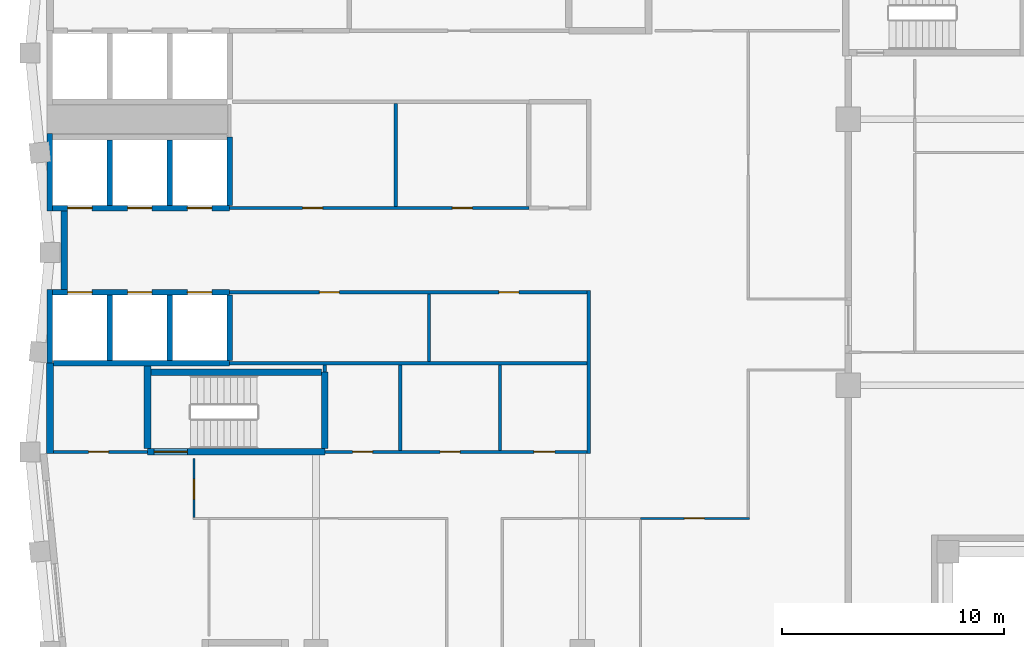
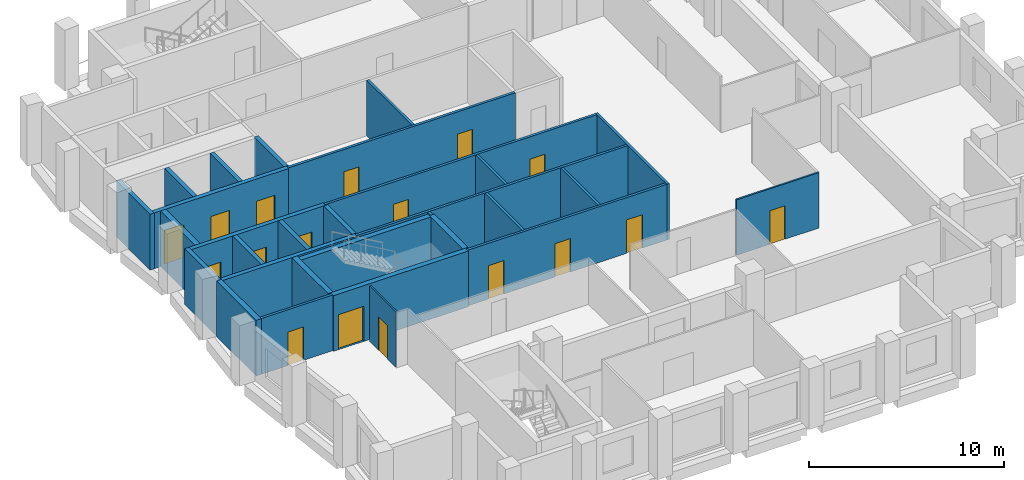
# One storey, part 3 of 7: 30 walls, 17 doors, 17 openings.
"""IFC4 building model written with IfcOpenShell, lengths in metres."""

from ifc_helpers import new_model, si_unit, direction, frame, frame_2d, origin, place, context, subcontext, project, spatial, rectangle, extrude, material, layer, layer_set, type_object, element, fill, save


model = new_model("IFC4")

# Units and contexts
model_context = context("Model", 3, precision=1e-05, world=origin(), true_north=direction((0.0, 1.0)))
body_context = subcontext(model_context, "Body", "Model", "MODEL_VIEW")
ifc_project = project(units=[si_unit("LENGTHUNIT", "METRE"), si_unit("AREAUNIT", "SQUARE_METRE"), si_unit("VOLUMEUNIT", "CUBIC_METRE"), si_unit("PLANEANGLEUNIT", "RADIAN"), si_unit("MASSUNIT", "GRAM", prefix="KILO")], contexts=[model_context])

# Site, building, storey
site_placement = place(None, origin())
site = spatial("IfcSite", under=ifc_project, at=site_placement, CompositionType="ELEMENT")
building_placement = place(site_placement, origin())
building = spatial("IfcBuilding", under=site, at=building_placement, Name="Brondeck Convention Tower", CompositionType="ELEMENT")
storey_placement = place(building_placement, frame((0.0, 0.0, 260.0)))
storey = spatial("IfcBuildingStorey", under=building, at=storey_placement, Name="L64", CompositionType="ELEMENT", Elevation=260.0)

# Wall, openings, doors
ifc_material_1 = material(Name="Concrete C50/60", Category="concrete")
ifc_layer_1 = layer(ifc_material_1, 0.14990234375)
ifc_layer_set_1 = layer_set([ifc_layer_1], Name="Core beam-seat wall 150 Concrete C50/60")
wall_type_1 = type_object("IfcWallType", Name="Core beam-seat wall 150 Concrete C50/60", PredefinedType="SHEAR", material=ifc_layer_set_1)
wall_1_placement = place(storey_placement, frame((12.39990234375, 36.0, 0.0), z_axis=(0.0, 0.0, 1.0), x_axis=(1.0, 0.0, 0.0)))
wall_1 = element("IfcWall", 1, at=wall_1_placement, inside=storey, type_object=wall_type_1, Name="L64 core wall", PredefinedType="SHEAR", context=body_context, shape_type="SweptSolid", body=[
    extrude(rectangle(XDim=11.8251953125, YDim=0.14990234375, at=frame_2d((5.91259765625, 0.0))), origin(), (0.0, 0.0, 1.0), 3.5),
])
opening_1_placement = place(wall_1_placement, frame((1.25, 0.0, 0.0)))
opening_1 = element("IfcOpeningElement", 2, at=opening_1_placement, cuts=wall_1, Name="Opening C36-03", PredefinedType="OPENING", context=body_context, shape_type="SweptSolid", body=[
    extrude(rectangle(XDim=0.89990234375, YDim=2.10009765625, at=frame_2d((0.449951171875, 1.050048828125))), frame((0.0, 0.0849609375, 0.0), z_axis=(0.0, -1.0, 0.0), x_axis=(1.0, 0.0, 0.0)), (0.0, 0.0, 1.0), 0.169921875),
])
opening_2_placement = place(wall_1_placement, frame((5.199951171875, 0.0, 0.0)))
opening_2 = element("IfcOpeningElement", 3, at=opening_2_placement, cuts=wall_1, Name="Opening C36-04", PredefinedType="OPENING", context=body_context, shape_type="SweptSolid", body=[
    extrude(rectangle(XDim=0.89990234375, YDim=2.10009765625, at=frame_2d((0.449951171875, 1.050048828125))), frame((0.0, 0.0849609375, 0.0), z_axis=(0.0, -1.0, 0.0), x_axis=(1.0, 0.0, 0.0)), (0.0, 0.0, 1.0), 0.169921875),
])
opening_3_placement = place(wall_1_placement, frame((9.425048828125, 0.0, 0.0)))
opening_3 = element("IfcOpeningElement", 4, at=opening_3_placement, cuts=wall_1, Name="Opening C36-05", PredefinedType="OPENING", context=body_context, shape_type="SweptSolid", body=[
    extrude(rectangle(XDim=0.949951171875, YDim=2.10009765625, at=frame_2d((0.47509765625, 1.050048828125))), frame((0.0, 0.0849609375, 0.0), z_axis=(0.0, -1.0, 0.0), x_axis=(1.0, 0.0, 0.0)), (0.0, 0.0, 1.0), 0.169921875),
])
ifc_material_2 = material(Name="Steel fire door", Category="steel")
door_type_1 = type_object("IfcDoorType", Name="Room door 900x2100 EI 60", OperationType="NOTDEFINED", PredefinedType="DOOR", material=ifc_material_2)
door_1_placement = place(opening_1_placement, origin())
door_1 = element("IfcDoor", 5, at=door_1_placement, inside=storey, type_object=door_type_1, Name="L64 Room door FR-1", OperationType="SINGLE_SWING_RIGHT", OverallHeight=2.10009765625, OverallWidth=0.89990234375, PredefinedType="DOOR", context=body_context, shape_type="SweptSolid", body=[
    extrude(rectangle(XDim=0.89990234375, YDim=2.10009765625, at=frame_2d((0.449951171875, 1.050048828125))), frame((0.0, 0.02490234375, 0.0), z_axis=(0.0, -1.0, 0.0), x_axis=(1.0, 0.0, 0.0)), (0.0, 0.0, 1.0), 0.050048828125),
])
fill(opening_1, door_1)
door_2_placement = place(opening_2_placement, origin())
door_2 = element("IfcDoor", 6, at=door_2_placement, inside=storey, type_object=door_type_1, Name="L64 Room door FR-2", OperationType="SINGLE_SWING_LEFT", OverallHeight=2.10009765625, OverallWidth=0.89990234375, PredefinedType="DOOR", context=body_context, shape_type="SweptSolid", body=[
    extrude(rectangle(XDim=0.89990234375, YDim=2.10009765625, at=frame_2d((0.449951171875, 1.050048828125))), frame((0.0, 0.02490234375, 0.0), z_axis=(0.0, -1.0, 0.0), x_axis=(1.0, 0.0, 0.0)), (0.0, 0.0, 1.0), 0.050048828125),
])
fill(opening_2, door_2)
door_type_2 = type_object("IfcDoorType", Name="Room door 950x2100 EI 60", OperationType="NOTDEFINED", PredefinedType="DOOR", material=ifc_material_2)
door_3_placement = place(opening_3_placement, origin())
door_3 = element("IfcDoor", 7, at=door_3_placement, inside=storey, type_object=door_type_2, Name="L64 Room door FR-3", OperationType="SINGLE_SWING_RIGHT", OverallHeight=2.10009765625, OverallWidth=0.949951171875, PredefinedType="DOOR", context=body_context, shape_type="SweptSolid", body=[
    extrude(rectangle(XDim=0.949951171875, YDim=2.10009765625, at=frame_2d((0.47509765625, 1.050048828125))), frame((0.0, 0.02490234375, 0.0), z_axis=(0.0, -1.0, 0.0), x_axis=(1.0, 0.0, 0.0)), (0.0, 0.0, 1.0), 0.050048828125),
])
fill(opening_3, door_3)

# Walls
ifc_layer_2 = layer(ifc_material_1, 0.300048828125)
ifc_layer_set_2 = layer_set([ifc_layer_2], Name="Core outer wall 300 Concrete C50/60")
wall_type_2 = type_object("IfcWallType", Name="Core outer wall 300 Concrete C50/60", PredefinedType="SHEAR", material=ifc_layer_set_2)
wall_2_placement = place(storey_placement, frame((0.0, 35.925048828125, 0.0), z_axis=(0.0, 0.0, 1.0), x_axis=(0.0, 1.0, 0.0)))
element("IfcWall", 8, at=wall_2_placement, inside=storey, type_object=wall_type_2, Name="L64 core wall", PredefinedType="SHEAR", context=body_context, shape_type="SweptSolid", body=[
    extrude(rectangle(XDim=4.074951171875, YDim=0.300048828125, at=frame_2d((2.03759765625, 0.0))), origin(), (0.0, 0.0, 1.0), 3.5),
])
wall_3_placement = place(storey_placement, frame((0.64990234375, 43.324951171875, 0.0), z_axis=(0.0, 0.0, 1.0), x_axis=(0.0, 1.0, 0.0)))
element("IfcWall", 9, at=wall_3_placement, inside=storey, type_object=wall_type_2, Name="L64 core wall", PredefinedType="SHEAR", context=body_context, shape_type="SweptSolid", body=[
    extrude(rectangle(XDim=3.550048828125, YDim=0.300048828125, at=frame_2d((1.77490234375, 0.0))), origin(), (0.0, 0.0, 1.0), 3.5),
])

# Wall, opening, door
ifc_material_3 = material(Name="Fire-rated gypsum board partition")
ifc_layer_3 = layer(ifc_material_3, 0.14990234375)
ifc_layer_set_3 = layer_set([ifc_layer_3], Name="Core partition 150 EI 60")
wall_type_3 = type_object("IfcWallType", Name="Core partition 150 EI 60", PredefinedType="PARTITIONING", material=ifc_layer_set_3)
wall_4_placement = place(storey_placement, frame((0.14990234375, 36.0, 0.0), z_axis=(0.0, 0.0, 1.0), x_axis=(1.0, 0.0, 0.0)))
wall_4 = element("IfcWall", 10, at=wall_4_placement, inside=storey, type_object=wall_type_3, Name="L64 core wall", PredefinedType="PARTITIONING", context=body_context, shape_type="SweptSolid", body=[
    extrude(rectangle(XDim=4.25, YDim=0.14990234375, at=frame_2d((2.125, 0.0))), origin(), (0.0, 0.0, 1.0), 3.5),
])
opening_4_placement = place(wall_4_placement, frame((1.60009765625, 0.0, 0.0)))
opening_4 = element("IfcOpeningElement", 11, at=opening_4_placement, cuts=wall_4, Name="Opening C36-06", PredefinedType="OPENING", context=body_context, shape_type="SweptSolid", body=[
    extrude(rectangle(XDim=0.89990234375, YDim=2.10009765625, at=frame_2d((0.449951171875, 1.050048828125))), frame((0.0, 0.0849609375, 0.0), z_axis=(0.0, -1.0, 0.0), x_axis=(1.0, 0.0, 0.0)), (0.0, 0.0, 1.0), 0.169921875),
])
door_4_placement = place(opening_4_placement, origin())
door_4 = element("IfcDoor", 12, at=door_4_placement, inside=storey, type_object=door_type_1, Name="L64 Room door FRW-1", OperationType="SINGLE_SWING_LEFT", OverallHeight=2.10009765625, OverallWidth=0.89990234375, PredefinedType="DOOR", context=body_context, shape_type="SweptSolid", body=[
    extrude(rectangle(XDim=0.89990234375, YDim=2.10009765625, at=frame_2d((0.449951171875, 1.050048828125))), frame((0.0, 0.02490234375, 0.0), z_axis=(0.0, -1.0, 0.0), x_axis=(1.0, 0.0, 0.0)), (0.0, 0.0, 1.0), 0.050048828125),
])
fill(opening_4, door_4)

# Wall
wall_5_placement = place(storey_placement, frame((8.10009765625, 40.0, 0.0), z_axis=(0.0, 0.0, 1.0), x_axis=(1.0, 0.0, 0.0)))
element("IfcWall", 13, at=wall_5_placement, inside=storey, type_object=wall_type_3, Name="L64 core wall", PredefinedType="PARTITIONING", context=body_context, shape_type="SweptSolid", body=[
    extrude(rectangle(XDim=16.125, YDim=0.14990234375, at=frame_2d((8.0625, 0.0))), origin(), (0.0, 0.0, 1.0), 3.5),
])

# Wall, openings, doors
wall_6_placement = place(storey_placement, frame((8.10009765625, 43.199951171875, 0.0), z_axis=(0.0, 0.0, 1.0), x_axis=(1.0, 0.0, 0.0)))
wall_6 = element("IfcWall", 14, at=wall_6_placement, inside=storey, type_object=wall_type_3, Name="L64 core wall", PredefinedType="PARTITIONING", context=body_context, shape_type="SweptSolid", body=[
    extrude(rectangle(XDim=16.125, YDim=0.14990234375, at=frame_2d((8.0625, 0.0))), origin(), (0.0, 0.0, 1.0), 3.5),
])
opening_5_placement = place(wall_6_placement, frame((4.050048828125, 0.0, 0.0)))
opening_5 = element("IfcOpeningElement", 15, at=opening_5_placement, cuts=wall_6, Name="Opening C36-09", PredefinedType="OPENING", context=body_context, shape_type="SweptSolid", body=[
    extrude(rectangle(XDim=0.89990234375, YDim=2.10009765625, at=frame_2d((0.449951171875, 1.050048828125))), frame((0.0, 0.0849609375, 0.0), z_axis=(0.0, -1.0, 0.0), x_axis=(1.0, 0.0, 0.0)), (0.0, 0.0, 1.0), 0.169921875),
])
opening_6_placement = place(wall_6_placement, frame((12.14990234375, 0.0, 0.0)))
opening_6 = element("IfcOpeningElement", 16, at=opening_6_placement, cuts=wall_6, Name="Opening C36-10", PredefinedType="OPENING", context=body_context, shape_type="SweptSolid", body=[
    extrude(rectangle(XDim=0.89990234375, YDim=2.10009765625, at=frame_2d((0.449951171875, 1.050048828125))), frame((0.0, 0.0849609375, 0.0), z_axis=(0.0, -1.0, 0.0), x_axis=(1.0, 0.0, 0.0)), (0.0, 0.0, 1.0), 0.169921875),
])
door_5_placement = place(opening_5_placement, origin())
door_5 = element("IfcDoor", 17, at=door_5_placement, inside=storey, type_object=door_type_1, Name="L64 Room door FZ-S-8.1-1", OperationType="SINGLE_SWING_RIGHT", OverallHeight=2.10009765625, OverallWidth=0.89990234375, PredefinedType="DOOR", context=body_context, shape_type="SweptSolid", body=[
    extrude(rectangle(XDim=0.89990234375, YDim=2.10009765625, at=frame_2d((0.449951171875, 1.050048828125))), frame((0.0, 0.02490234375, 0.0), z_axis=(0.0, -1.0, 0.0), x_axis=(1.0, 0.0, 0.0)), (0.0, 0.0, 1.0), 0.050048828125),
])
fill(opening_5, door_5)
door_6_placement = place(opening_6_placement, origin())
door_6 = element("IfcDoor", 18, at=door_6_placement, inside=storey, type_object=door_type_1, Name="L64 Room door FZ-S-8.1-2", OperationType="SINGLE_SWING_LEFT", OverallHeight=2.10009765625, OverallWidth=0.89990234375, PredefinedType="DOOR", context=body_context, shape_type="SweptSolid", body=[
    extrude(rectangle(XDim=0.89990234375, YDim=2.10009765625, at=frame_2d((0.449951171875, 1.050048828125))), frame((0.0, 0.02490234375, 0.0), z_axis=(0.0, -1.0, 0.0), x_axis=(1.0, 0.0, 0.0)), (0.0, 0.0, 1.0), 0.050048828125),
])
fill(opening_6, door_6)

wall_7_placement = place(storey_placement, frame((8.10009765625, 47.0, 0.0), z_axis=(0.0, 0.0, 1.0), x_axis=(1.0, 0.0, 0.0)))
wall_7 = element("IfcWall", 19, at=wall_7_placement, inside=storey, type_object=wall_type_3, Name="L64 core wall", PredefinedType="PARTITIONING", context=body_context, shape_type="SweptSolid", body=[
    extrude(rectangle(XDim=13.5, YDim=0.14990234375, at=frame_2d((6.75, 0.0))), origin(), (0.0, 0.0, 1.0), 3.5),
])
opening_7_placement = place(wall_7_placement, frame((3.300048828125, 0.0, 0.0)))
opening_7 = element("IfcOpeningElement", 20, at=opening_7_placement, cuts=wall_7, Name="Opening C36-07", PredefinedType="OPENING", context=body_context, shape_type="SweptSolid", body=[
    extrude(rectangle(XDim=0.89990234375, YDim=2.10009765625, at=frame_2d((0.449951171875, 1.050048828125))), frame((0.0, 0.0849609375, 0.0), z_axis=(0.0, -1.0, 0.0), x_axis=(1.0, 0.0, 0.0)), (0.0, 0.0, 1.0), 0.169921875),
])
opening_8_placement = place(wall_7_placement, frame((10.050048828125, 0.0, 0.0)))
opening_8 = element("IfcOpeningElement", 21, at=opening_8_placement, cuts=wall_7, Name="Opening C36-08", PredefinedType="OPENING", context=body_context, shape_type="SweptSolid", body=[
    extrude(rectangle(XDim=0.89990234375, YDim=2.10009765625, at=frame_2d((0.449951171875, 1.050048828125))), frame((0.0, 0.0849609375, 0.0), z_axis=(0.0, -1.0, 0.0), x_axis=(1.0, 0.0, 0.0)), (0.0, 0.0, 1.0), 0.169921875),
])
door_7_placement = place(opening_7_placement, origin())
door_7 = element("IfcDoor", 22, at=door_7_placement, inside=storey, type_object=door_type_1, Name="L64 Room door FZ-N-8.1-1", OperationType="SINGLE_SWING_LEFT", OverallHeight=2.10009765625, OverallWidth=0.89990234375, PredefinedType="DOOR", context=body_context, shape_type="SweptSolid", body=[
    extrude(rectangle(XDim=0.89990234375, YDim=2.10009765625, at=frame_2d((0.449951171875, 1.050048828125))), frame((0.0, 0.02490234375, 0.0), z_axis=(0.0, -1.0, 0.0), x_axis=(1.0, 0.0, 0.0)), (0.0, 0.0, 1.0), 0.050048828125),
])
fill(opening_7, door_7)
door_8_placement = place(opening_8_placement, origin())
door_8 = element("IfcDoor", 23, at=door_8_placement, inside=storey, type_object=door_type_1, Name="L64 Room door FZ-N-8.1-2", OperationType="SINGLE_SWING_RIGHT", OverallHeight=2.10009765625, OverallWidth=0.89990234375, PredefinedType="DOOR", context=body_context, shape_type="SweptSolid", body=[
    extrude(rectangle(XDim=0.89990234375, YDim=2.10009765625, at=frame_2d((0.449951171875, 1.050048828125))), frame((0.0, 0.02490234375, 0.0), z_axis=(0.0, -1.0, 0.0), x_axis=(1.0, 0.0, 0.0)), (0.0, 0.0, 1.0), 0.050048828125),
])
fill(opening_8, door_8)

# Walls
wall_8_placement = place(storey_placement, frame((12.39990234375, 39.60009765625, 0.0), z_axis=(0.0, 0.0, 1.0), x_axis=(0.0, 1.0, 0.0)))
element("IfcWall", 24, at=wall_8_placement, inside=storey, type_object=wall_type_3, Name="L64 core wall", PredefinedType="PARTITIONING", context=body_context, shape_type="SweptSolid", body=[
    extrude(rectangle(XDim=0.324951171875, YDim=0.14990234375, at=frame_2d((0.16259765625, 0.0))), origin(), (0.0, 0.0, 1.0), 3.5),
])
wall_9_placement = place(storey_placement, frame((15.60009765625, 47.074951171875, 0.0), z_axis=(0.0, 0.0, 1.0), x_axis=(0.0, 1.0, 0.0)))
element("IfcWall", 25, at=wall_9_placement, inside=storey, type_object=wall_type_3, Name="L64 core wall", PredefinedType="PARTITIONING", context=body_context, shape_type="SweptSolid", body=[
    extrude(rectangle(XDim=4.650146484375, YDim=0.14990234375, at=frame_2d((2.3251953125, 0.0))), origin(), (0.0, 0.0, 1.0), 3.5),
])
wall_10_placement = place(storey_placement, frame((15.800048828125, 36.074951171875, 0.0), z_axis=(0.0, 0.0, 1.0), x_axis=(0.0, 1.0, 0.0)))
element("IfcWall", 26, at=wall_10_placement, inside=storey, type_object=wall_type_3, Name="L64 core wall", PredefinedType="PARTITIONING", context=body_context, shape_type="SweptSolid", body=[
    extrude(rectangle(XDim=3.85009765625, YDim=0.14990234375, at=frame_2d((1.925048828125, 0.0))), origin(), (0.0, 0.0, 1.0), 3.5),
])
wall_11_placement = place(storey_placement, frame((17.10009765625, 40.074951171875, 0.0), z_axis=(0.0, 0.0, 1.0), x_axis=(0.0, 1.0, 0.0)))
element("IfcWall", 27, at=wall_11_placement, inside=storey, type_object=wall_type_3, Name="L64 core wall", PredefinedType="PARTITIONING", context=body_context, shape_type="SweptSolid", body=[
    extrude(rectangle(XDim=3.050048828125, YDim=0.14990234375, at=frame_2d((1.52490234375, 0.0))), origin(), (0.0, 0.0, 1.0), 3.5),
])
wall_12_placement = place(storey_placement, frame((20.300048828125, 36.074951171875, 0.0), z_axis=(0.0, 0.0, 1.0), x_axis=(0.0, 1.0, 0.0)))
element("IfcWall", 28, at=wall_12_placement, inside=storey, type_object=wall_type_3, Name="L64 core wall", PredefinedType="PARTITIONING", context=body_context, shape_type="SweptSolid", body=[
    extrude(rectangle(XDim=3.85009765625, YDim=0.14990234375, at=frame_2d((1.925048828125, 0.0))), origin(), (0.0, 0.0, 1.0), 3.5),
])
wall_13_placement = place(storey_placement, frame((24.300048828125, 35.925048828125, 0.0), z_axis=(0.0, 0.0, 1.0), x_axis=(0.0, 1.0, 0.0)))
element("IfcWall", 29, at=wall_13_placement, inside=storey, type_object=wall_type_3, Name="L64 core wall", PredefinedType="PARTITIONING", context=body_context, shape_type="SweptSolid", body=[
    extrude(rectangle(XDim=7.349853515625, YDim=0.14990234375, at=frame_2d((3.6748046875, 0.0))), origin(), (0.0, 0.0, 1.0), 3.5),
])
ifc_layer_4 = layer(ifc_material_1, 0.25)
ifc_layer_set_4 = layer_set([ifc_layer_4], Name="Lift shaft wall 250 Concrete C50/60")
wall_type_4 = type_object("IfcWallType", Name="Lift shaft wall 250 Concrete C50/60", PredefinedType="SHEAR", material=ifc_layer_set_4)
wall_14_placement = place(storey_placement, frame((0.14990234375, 40.0, 0.0), z_axis=(0.0, 0.0, 1.0), x_axis=(1.0, 0.0, 0.0)))
element("IfcWall", 30, at=wall_14_placement, inside=storey, type_object=wall_type_4, Name="L64 core wall", PredefinedType="SHEAR", context=body_context, shape_type="SweptSolid", body=[
    extrude(rectangle(XDim=7.9501953125, YDim=0.25, at=frame_2d((3.97509765625, 0.0))), origin(), (0.0, 0.0, 1.0), 3.5),
])

# Wall, openings, doors
wall_15_placement = place(storey_placement, frame((0.125, 43.199951171875, 0.0), z_axis=(0.0, 0.0, 1.0), x_axis=(1.0, 0.0, 0.0)))
wall_15 = element("IfcWall", 31, at=wall_15_placement, inside=storey, type_object=wall_type_4, Name="L64 core wall", PredefinedType="SHEAR", context=body_context, shape_type="SweptSolid", body=[
    extrude(rectangle(XDim=7.97509765625, YDim=0.25, at=frame_2d((3.987548828125, 0.0))), origin(), (0.0, 0.0, 1.0), 3.5),
])
opening_9_placement = place(wall_15_placement, frame((0.675048828125, 0.0, 0.0)))
opening_9 = element("IfcOpeningElement", 32, at=opening_9_placement, cuts=wall_15, Name="Opening C36-20", PredefinedType="OPENING", context=body_context, shape_type="SweptSolid", body=[
    extrude(rectangle(XDim=1.10009765625, YDim=2.10009765625, at=frame_2d((0.550048828125, 1.050048828125))), frame((0.0, 0.135009765625, 0.0), z_axis=(0.0, -1.0, 0.0), x_axis=(1.0, 0.0, 0.0)), (0.0, 0.0, 1.0), 0.27001953125),
])
opening_10_placement = place(wall_15_placement, frame((3.375, 0.0, 0.0)))
opening_10 = element("IfcOpeningElement", 33, at=opening_10_placement, cuts=wall_15, Name="Opening C36-21", PredefinedType="OPENING", context=body_context, shape_type="SweptSolid", body=[
    extrude(rectangle(XDim=1.10009765625, YDim=2.10009765625, at=frame_2d((0.550048828125, 1.050048828125))), frame((0.0, 0.135009765625, 0.0), z_axis=(0.0, -1.0, 0.0), x_axis=(1.0, 0.0, 0.0)), (0.0, 0.0, 1.0), 0.27001953125),
])
opening_11_placement = place(wall_15_placement, frame((6.074951171875, 0.0, 0.0)))
opening_11 = element("IfcOpeningElement", 34, at=opening_11_placement, cuts=wall_15, Name="Opening C36-22", PredefinedType="OPENING", context=body_context, shape_type="SweptSolid", body=[
    extrude(rectangle(XDim=1.10009765625, YDim=2.10009765625, at=frame_2d((0.550048828125, 1.050048828125))), frame((0.0, 0.135009765625, 0.0), z_axis=(0.0, -1.0, 0.0), x_axis=(1.0, 0.0, 0.0)), (0.0, 0.0, 1.0), 0.27001953125),
])
ifc_material_4 = material(Name="Stainless steel lift door", Category="steel")
door_type_3 = type_object("IfcDoorType", Name="Lift landing door 1100x2100 EI 180", OperationType="DOUBLE_DOOR_SLIDING", PredefinedType="DOOR", material=ifc_material_4)
door_9_placement = place(opening_9_placement, origin())
door_9 = element("IfcDoor", 35, at=door_9_placement, inside=storey, type_object=door_type_3, Name="L64 Lift landing door HR1", OperationType="DOUBLE_DOOR_SLIDING", OverallHeight=2.10009765625, OverallWidth=1.10009765625, PredefinedType="DOOR", context=body_context, shape_type="SweptSolid", body=[
    extrude(rectangle(XDim=1.10009765625, YDim=2.10009765625, at=frame_2d((0.550048828125, 1.050048828125))), frame((0.0, 0.02490234375, 0.0), z_axis=(0.0, -1.0, 0.0), x_axis=(1.0, 0.0, 0.0)), (0.0, 0.0, 1.0), 0.050048828125),
])
fill(opening_9, door_9)
door_10_placement = place(opening_10_placement, origin())
door_10 = element("IfcDoor", 36, at=door_10_placement, inside=storey, type_object=door_type_3, Name="L64 Lift landing door HR2", OperationType="DOUBLE_DOOR_SLIDING", OverallHeight=2.10009765625, OverallWidth=1.10009765625, PredefinedType="DOOR", context=body_context, shape_type="SweptSolid", body=[
    extrude(rectangle(XDim=1.10009765625, YDim=2.10009765625, at=frame_2d((0.550048828125, 1.050048828125))), frame((0.0, 0.02490234375, 0.0), z_axis=(0.0, -1.0, 0.0), x_axis=(1.0, 0.0, 0.0)), (0.0, 0.0, 1.0), 0.050048828125),
])
fill(opening_10, door_10)
door_11_placement = place(opening_11_placement, origin())
door_11 = element("IfcDoor", 37, at=door_11_placement, inside=storey, type_object=door_type_3, Name="L64 Lift landing door HR3", OperationType="DOUBLE_DOOR_SLIDING", OverallHeight=2.10009765625, OverallWidth=1.10009765625, PredefinedType="DOOR", context=body_context, shape_type="SweptSolid", body=[
    extrude(rectangle(XDim=1.10009765625, YDim=2.10009765625, at=frame_2d((0.550048828125, 1.050048828125))), frame((0.0, 0.02490234375, 0.0), z_axis=(0.0, -1.0, 0.0), x_axis=(1.0, 0.0, 0.0)), (0.0, 0.0, 1.0), 0.050048828125),
])
fill(opening_11, door_11)

wall_16_placement = place(storey_placement, frame((0.125, 47.0, 0.0), z_axis=(0.0, 0.0, 1.0), x_axis=(1.0, 0.0, 0.0)))
wall_16 = element("IfcWall", 38, at=wall_16_placement, inside=storey, type_object=wall_type_4, Name="L64 core wall", PredefinedType="SHEAR", context=body_context, shape_type="SweptSolid", body=[
    extrude(rectangle(XDim=7.97509765625, YDim=0.25, at=frame_2d((3.987548828125, 0.0))), origin(), (0.0, 0.0, 1.0), 3.5),
])
opening_12_placement = place(wall_16_placement, frame((0.675048828125, 0.0, 0.0)))
opening_12 = element("IfcOpeningElement", 39, at=opening_12_placement, cuts=wall_16, Name="Opening C36-23", PredefinedType="OPENING", context=body_context, shape_type="SweptSolid", body=[
    extrude(rectangle(XDim=1.10009765625, YDim=2.10009765625, at=frame_2d((0.550048828125, 1.050048828125))), frame((0.0, 0.135009765625, 0.0), z_axis=(0.0, -1.0, 0.0), x_axis=(1.0, 0.0, 0.0)), (0.0, 0.0, 1.0), 0.27001953125),
])
opening_13_placement = place(wall_16_placement, frame((3.375, 0.0, 0.0)))
opening_13 = element("IfcOpeningElement", 40, at=opening_13_placement, cuts=wall_16, Name="Opening C36-24", PredefinedType="OPENING", context=body_context, shape_type="SweptSolid", body=[
    extrude(rectangle(XDim=1.10009765625, YDim=2.10009765625, at=frame_2d((0.550048828125, 1.050048828125))), frame((0.0, 0.135009765625, 0.0), z_axis=(0.0, -1.0, 0.0), x_axis=(1.0, 0.0, 0.0)), (0.0, 0.0, 1.0), 0.27001953125),
])
opening_14_placement = place(wall_16_placement, frame((6.074951171875, 0.0, 0.0)))
opening_14 = element("IfcOpeningElement", 41, at=opening_14_placement, cuts=wall_16, Name="Opening C36-25", PredefinedType="OPENING", context=body_context, shape_type="SweptSolid", body=[
    extrude(rectangle(XDim=1.10009765625, YDim=2.10009765625, at=frame_2d((0.550048828125, 1.050048828125))), frame((0.0, 0.135009765625, 0.0), z_axis=(0.0, -1.0, 0.0), x_axis=(1.0, 0.0, 0.0)), (0.0, 0.0, 1.0), 0.27001953125),
])
door_12_placement = place(opening_12_placement, origin())
door_12 = element("IfcDoor", 42, at=door_12_placement, inside=storey, type_object=door_type_3, Name="L64 Lift landing door HR4", OperationType="DOUBLE_DOOR_SLIDING", OverallHeight=2.10009765625, OverallWidth=1.10009765625, PredefinedType="DOOR", context=body_context, shape_type="SweptSolid", body=[
    extrude(rectangle(XDim=1.10009765625, YDim=2.10009765625, at=frame_2d((0.550048828125, 1.050048828125))), frame((0.0, 0.02490234375, 0.0), z_axis=(0.0, -1.0, 0.0), x_axis=(1.0, 0.0, 0.0)), (0.0, 0.0, 1.0), 0.050048828125),
])
fill(opening_12, door_12)
door_13_placement = place(opening_13_placement, origin())
door_13 = element("IfcDoor", 43, at=door_13_placement, inside=storey, type_object=door_type_3, Name="L64 Lift landing door HR5", OperationType="DOUBLE_DOOR_SLIDING", OverallHeight=2.10009765625, OverallWidth=1.10009765625, PredefinedType="DOOR", context=body_context, shape_type="SweptSolid", body=[
    extrude(rectangle(XDim=1.10009765625, YDim=2.10009765625, at=frame_2d((0.550048828125, 1.050048828125))), frame((0.0, 0.02490234375, 0.0), z_axis=(0.0, -1.0, 0.0), x_axis=(1.0, 0.0, 0.0)), (0.0, 0.0, 1.0), 0.050048828125),
])
fill(opening_13, door_13)
door_14_placement = place(opening_14_placement, origin())
door_14 = element("IfcDoor", 44, at=door_14_placement, inside=storey, type_object=door_type_3, Name="L64 Lift landing door HR6", OperationType="DOUBLE_DOOR_SLIDING", OverallHeight=2.10009765625, OverallWidth=1.10009765625, PredefinedType="DOOR", context=body_context, shape_type="SweptSolid", body=[
    extrude(rectangle(XDim=1.10009765625, YDim=2.10009765625, at=frame_2d((0.550048828125, 1.050048828125))), frame((0.0, 0.02490234375, 0.0), z_axis=(0.0, -1.0, 0.0), x_axis=(1.0, 0.0, 0.0)), (0.0, 0.0, 1.0), 0.050048828125),
])
fill(opening_14, door_14)

# Walls
wall_17_placement = place(storey_placement, frame((0.0, 40.0, 0.0), z_axis=(0.0, 0.0, 1.0), x_axis=(0.0, 1.0, 0.0)))
element("IfcWall", 45, at=wall_17_placement, inside=storey, type_object=wall_type_4, Name="L64 core wall", PredefinedType="SHEAR", context=body_context, shape_type="SweptSolid", body=[
    extrude(rectangle(XDim=3.324951171875, YDim=0.25, at=frame_2d((1.66259765625, 0.0))), origin(), (0.0, 0.0, 1.0), 3.5),
])
wall_18_placement = place(storey_placement, frame((0.0, 46.875, 0.0), z_axis=(0.0, 0.0, 1.0), x_axis=(0.0, 1.0, 0.0)))
element("IfcWall", 46, at=wall_18_placement, inside=storey, type_object=wall_type_4, Name="L64 core wall", PredefinedType="SHEAR", context=body_context, shape_type="SweptSolid", body=[
    extrude(rectangle(XDim=3.47509765625, YDim=0.25, at=frame_2d((1.737548828125, 0.0))), origin(), (0.0, 0.0, 1.0), 3.5),
])
for number, where, z_axis, x_axis, name in (
    (47, (2.699951171875, 40.125, 0.0), (0.0, 0.0, 1.0), (0.0, 1.0, 0.0), "L64 core wall"),
    (48, (2.699951171875, 47.125, 0.0), (0.0, 0.0, 1.0), (0.0, 1.0, 0.0), "L64 core wall"),
    (49, (5.39990234375, 40.125, 0.0), (0.0, 0.0, 1.0), (0.0, 1.0, 0.0), "L64 core wall"),
    (50, (5.39990234375, 47.125, 0.0), (0.0, 0.0, 1.0), (0.0, 1.0, 0.0), "L64 core wall"),
    (51, (8.10009765625, 40.125, 0.0), (0.0, 0.0, 1.0), (0.0, 1.0, 0.0), "L64 core wall"),
):
    element("IfcWall", number, at=place(storey_placement, frame(where, z_axis=z_axis, x_axis=x_axis)), inside=storey, type_object=wall_type_4, Name=name, PredefinedType="SHEAR", context=body_context, shape_type="SweptSolid", body=[
        extrude(rectangle(XDim=2.949951171875, YDim=0.25, at=frame_2d((1.47509765625, 0.0))), origin(), (0.0, 0.0, 1.0), 3.5),
    ])
wall_19_placement = place(storey_placement, frame((8.10009765625, 47.125, 0.0), z_axis=(0.0, 0.0, 1.0), x_axis=(0.0, 1.0, 0.0)))
element("IfcWall", 52, at=wall_19_placement, inside=storey, type_object=wall_type_4, Name="L64 core wall", PredefinedType="SHEAR", context=body_context, shape_type="SweptSolid", body=[
    extrude(rectangle(XDim=3.074951171875, YDim=0.25, at=frame_2d((1.53759765625, 0.0))), origin(), (0.0, 0.0, 1.0), 3.5),
])

# Wall, opening, door
ifc_material_5 = material(Name="Gypsum board partition on steel studs", Category="steel")
ifc_layer_5 = layer(ifc_material_5, 0.10009765625)
ifc_layer_set_5 = layer_set([ifc_layer_5], Name="Room partition 100")
wall_type_5 = type_object("IfcWallType", Name="Room partition 100", PredefinedType="PARTITIONING", material=ifc_layer_set_5)
wall_20_placement = place(storey_placement, frame((31.550048828125, 33.0, 0.0), z_axis=(0.0, 0.0, 1.0), x_axis=(-1.0, 0.0, 0.0)))
wall_20 = element("IfcWall", 53, at=wall_20_placement, inside=storey, type_object=wall_type_5, Name="FLR-L64-W028", PredefinedType="PARTITIONING", context=body_context, shape_type="SweptSolid", body=[
    extrude(rectangle(XDim=4.91015625, YDim=0.10009765625, at=frame_2d((2.455078125, 0.0))), origin(), (0.0, 0.0, 1.0), 3.47998046875),
])
opening_15_placement = place(wall_20_placement, frame((2.030029296875, 0.0, 0.0)))
opening_15 = element("IfcOpeningElement", 54, at=opening_15_placement, cuts=wall_20, Name="Opening EX-B-015", PredefinedType="OPENING", context=body_context, shape_type="SweptSolid", body=[
    extrude(rectangle(XDim=0.89990234375, YDim=2.10009765625, at=frame_2d((0.449951171875, 1.050048828125))), frame((0.0, 0.06005859375, 0.0), z_axis=(0.0, -1.0, 0.0), x_axis=(1.0, 0.0, 0.0)), (0.0, 0.0, 1.0), 0.1201171875),
])
ifc_material_6 = material(Name="Solid timber door leaf", Category="wood")
door_type_4 = type_object("IfcDoorType", Name="Single door 900", OperationType="NOTDEFINED", PredefinedType="DOOR", material=ifc_material_6)
door_15_placement = place(opening_15_placement, origin())
door_15 = element("IfcDoor", 55, at=door_15_placement, inside=storey, type_object=door_type_4, Name="Door EX-B-015", OperationType="SINGLE_SWING_LEFT", OverallHeight=2.10009765625, OverallWidth=0.89990234375, PredefinedType="DOOR", context=body_context, shape_type="SweptSolid", body=[
    extrude(rectangle(XDim=0.89990234375, YDim=2.10009765625, at=frame_2d((0.449951171875, 1.050048828125))), frame((0.0, 0.02490234375, 0.0), z_axis=(0.0, -1.0, 0.0), x_axis=(1.0, 0.0, 0.0)), (0.0, 0.0, 1.0), 0.050048828125),
])
fill(opening_15, door_15)

wall_21_placement = place(storey_placement, frame((6.5, 33.050048828125, 0.0), z_axis=(0.0, 0.0, 1.0), x_axis=(0.0, 1.0, 0.0)))
wall_21 = element("IfcWall", 56, at=wall_21_placement, inside=storey, type_object=wall_type_5, Name="FLR-L64-W029", PredefinedType="PARTITIONING", context=body_context, shape_type="SweptSolid", body=[
    extrude(rectangle(XDim=2.64990234375, YDim=0.10009765625, at=frame_2d((1.324951171875, 0.0))), origin(), (0.0, 0.0, 1.0), 3.47998046875),
])
opening_16_placement = place(wall_21_placement, frame((0.824951171875, 0.0, 0.0)))
opening_16 = element("IfcOpeningElement", 57, at=opening_16_placement, cuts=wall_21, Name="Opening EX-B-012", PredefinedType="OPENING", context=body_context, shape_type="SweptSolid", body=[
    extrude(rectangle(XDim=0.89990234375, YDim=2.10009765625, at=frame_2d((0.449951171875, 1.050048828125))), frame((0.0, 0.06005859375, 0.0), z_axis=(0.0, -1.0, 0.0), x_axis=(1.0, 0.0, 0.0)), (0.0, 0.0, 1.0), 0.1201171875),
])
door_16_placement = place(opening_16_placement, origin())
door_16 = element("IfcDoor", 58, at=door_16_placement, inside=storey, type_object=door_type_4, Name="Door EX-B-012", OperationType="SINGLE_SWING_LEFT", OverallHeight=2.10009765625, OverallWidth=0.89990234375, PredefinedType="DOOR", context=body_context, shape_type="SweptSolid", body=[
    extrude(rectangle(XDim=0.89990234375, YDim=2.10009765625, at=frame_2d((0.449951171875, 1.050048828125))), frame((0.0, 0.02490234375, 0.0), z_axis=(0.0, -1.0, 0.0), x_axis=(1.0, 0.0, 0.0)), (0.0, 0.0, 1.0), 0.050048828125),
])
fill(opening_16, door_16)

ifc_layer_6 = layer(ifc_material_1, 0.300048828125)
ifc_layer_set_6 = layer_set([ifc_layer_6], Name="Stair enclosure wall 300 Concrete C50/60")
wall_type_6 = type_object("IfcWallType", Name="Stair enclosure wall 300 Concrete C50/60", PredefinedType="SHEAR", material=ifc_layer_set_6)
wall_22_placement = place(storey_placement, frame((4.39990234375, 36.0, 0.0), z_axis=(0.0, 0.0, 1.0), x_axis=(1.0, 0.0, 0.0)))
wall_22 = element("IfcWall", 59, at=wall_22_placement, inside=storey, type_object=wall_type_6, Name="L64 core wall", PredefinedType="SHEAR", context=body_context, shape_type="SweptSolid", body=[
    extrude(rectangle(XDim=8.0, YDim=0.300048828125, at=frame_2d((4.0, 0.0))), origin(), (0.0, 0.0, 1.0), 3.5),
])
opening_17_placement = place(wall_22_placement, frame((0.300048828125, 0.0, 0.0)))
opening_17 = element("IfcOpeningElement", 60, at=opening_17_placement, cuts=wall_22, Name="Opening C36-12", PredefinedType="OPENING", context=body_context, shape_type="SweptSolid", body=[
    extrude(rectangle(XDim=1.5, YDim=2.199951171875, at=frame_2d((0.75, 1.10009765625))), frame((0.0, 0.159912109375, 0.0), z_axis=(0.0, -1.0, 0.0), x_axis=(1.0, 0.0, 0.0)), (0.0, 0.0, 1.0), 0.320068359375),
])
door_type_5 = type_object("IfcDoorType", Name="Stair door 1500x2200 EI 90", OperationType="NOTDEFINED", PredefinedType="DOOR", material=ifc_material_2)
door_17_placement = place(opening_17_placement, origin())
door_17 = element("IfcDoor", 61, at=door_17_placement, inside=storey, type_object=door_type_5, Name="L64 Stair door ST-1", OperationType="SINGLE_SWING_RIGHT", OverallHeight=2.199951171875, OverallWidth=1.5, PredefinedType="DOOR", context=body_context, shape_type="SweptSolid", body=[
    extrude(rectangle(XDim=1.5, YDim=2.199951171875, at=frame_2d((0.75, 1.10009765625))), frame((0.0, 0.02490234375, 0.0), z_axis=(0.0, -1.0, 0.0), x_axis=(1.0, 0.0, 0.0)), (0.0, 0.0, 1.0), 0.050048828125),
])
fill(opening_17, door_17)

# Walls
wall_23_placement = place(storey_placement, frame((4.550048828125, 39.60009765625, 0.0), z_axis=(0.0, 0.0, 1.0), x_axis=(1.0, 0.0, 0.0)))
element("IfcWall", 62, at=wall_23_placement, inside=storey, type_object=wall_type_6, Name="L64 core wall", PredefinedType="SHEAR", context=body_context, shape_type="SweptSolid", body=[
    extrude(rectangle(XDim=7.699951171875, YDim=0.300048828125, at=frame_2d((3.85009765625, 0.0))), origin(), (0.0, 0.0, 1.0), 3.5),
])
wall_24_placement = place(storey_placement, frame((4.39990234375, 36.14990234375, 0.0), z_axis=(0.0, 0.0, 1.0), x_axis=(0.0, 1.0, 0.0)))
element("IfcWall", 63, at=wall_24_placement, inside=storey, type_object=wall_type_6, Name="L64 core wall", PredefinedType="SHEAR", context=body_context, shape_type="SweptSolid", body=[
    extrude(rectangle(XDim=3.72509765625, YDim=0.300048828125, at=frame_2d((1.862548828125, 0.0))), origin(), (0.0, 0.0, 1.0), 3.5),
])
wall_25_placement = place(storey_placement, frame((12.39990234375, 36.14990234375, 0.0), z_axis=(0.0, 0.0, 1.0), x_axis=(0.0, 1.0, 0.0)))
element("IfcWall", 64, at=wall_25_placement, inside=storey, type_object=wall_type_6, Name="L64 core wall", PredefinedType="SHEAR", context=body_context, shape_type="SweptSolid", body=[
    extrude(rectangle(XDim=3.4501953125, YDim=0.300048828125, at=frame_2d((1.72509765625, 0.0))), origin(), (0.0, 0.0, 1.0), 3.5),
])

save(model, "model.ifc")
